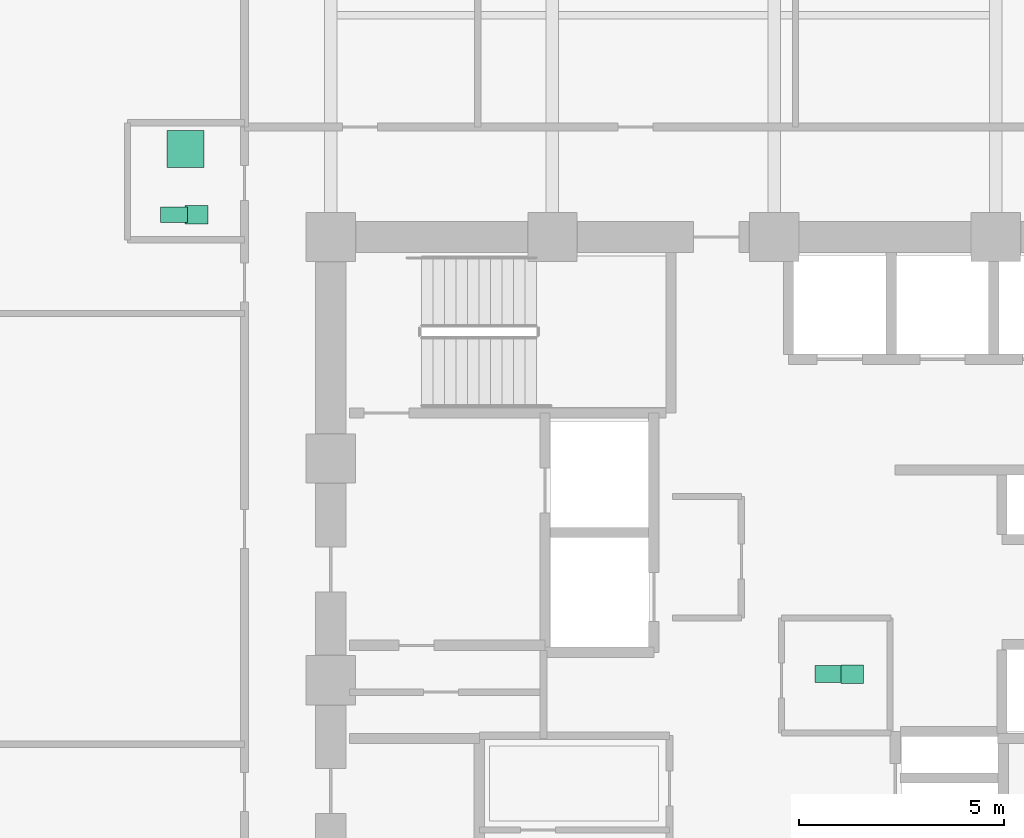
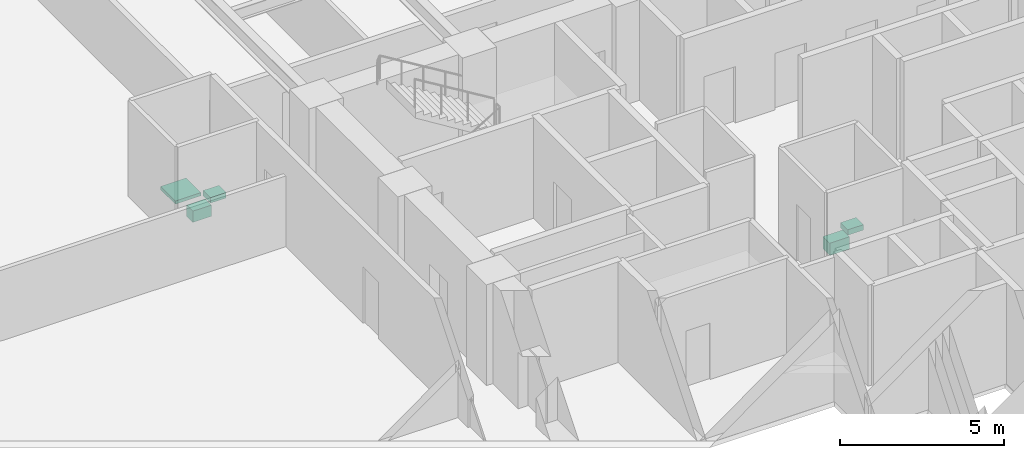
# One storey, part 25 of 25: 5 sanitary terminals.
"""IFC4 building model written with IfcOpenShell, lengths in metres."""

import ifcopenshell
import ifcopenshell.guid

model = None  # the IFC model being written
_history = None  # IfcOwnerHistory: only IFC2X3 demands one
_inside = {}  # id of a spatial element -> (the spatial element, [elements in it])
_under = {}  # id of a project, library or spatial element -> (it, [spatial elements below it])
_declared = {}  # id of a project -> (the project, [libraries it declares])
_typed = {}  # id of a type object -> (the type object, [elements of that type])
_made_of = {}  # id of a material, layer set ... -> (it, [elements and type objects made of it])


def new_model(schema):
    """Start an empty IFC model of exactly this schema.

    Asked for "IFC4X3", IfcOpenShell would pick the latest addendum, in which some entities
    have other attributes; the version numbers below select the first issue.
    IFC2X3 requires an IfcOwnerHistory on every rooted entity: one is made here for all.
    """
    global model, _history
    if schema == "IFC4X3":
        model = ifcopenshell.file(schema_version=(4, 3, 0, 0))
    else:
        model = ifcopenshell.file(schema=schema)
    _inside.clear()
    _under.clear()
    _declared.clear()
    _typed.clear()
    _made_of.clear()
    _history = None
    if model.schema == "IFC2X3":
        org = make("IfcOrganization", Name="unknown")
        user = make(
            "IfcPersonAndOrganization",
            ThePerson=make("IfcPerson", FamilyName="unknown"),
            TheOrganization=org,
        )
        app = make(
            "IfcApplication",
            ApplicationDeveloper=org,
            Version="unknown",
            ApplicationFullName="unknown",
            ApplicationIdentifier="unknown",
        )
        _history = make(
            "IfcOwnerHistory",
            OwningUser=user,
            OwningApplication=app,
            ChangeAction="ADDED",
            CreationDate=0,
        )
    return model


def make(cls, **values):
    """One entity of the class cls with the attributes given. An attribute that is None is left unset."""
    return model.create_entity(
        cls, **{name: value for name, value in values.items() if value is not None}
    )


def rooted(cls, **values):
    """An entity with a GlobalId (a new one), such as an element, a storey or a relation."""
    return make(cls, GlobalId=ifcopenshell.guid.new(), OwnerHistory=_history, **values)


def si_unit(unit_type, name, prefix=None):
    """IfcSIUnit, for example si_unit("LENGTHUNIT", "METRE", prefix="MILLI")."""
    return make("IfcSIUnit", UnitType=unit_type, Prefix=prefix, Name=name)


def assignment(units):
    """IfcUnitAssignment: the units of a project."""
    return None if units is None else make("IfcUnitAssignment", Units=units)


def point(xyz):
    """IfcCartesianPoint."""
    return None if xyz is None else make("IfcCartesianPoint", Coordinates=xyz)


def direction(xyz):
    """IfcDirection."""
    return None if xyz is None else make("IfcDirection", DirectionRatios=xyz)


def frame(location, z_axis=None, x_axis=None):
    """IfcAxis2Placement3D, a coordinate frame: its origin and axes. An axis left out is left unset."""
    return make(
        "IfcAxis2Placement3D",
        Location=point(location),
        Axis=direction(z_axis),
        RefDirection=direction(x_axis),
    )


def frame_2d(location, x_axis=None):
    """IfcAxis2Placement2D, a coordinate frame in the plane: its origin and x axis."""
    return make(
        "IfcAxis2Placement2D", Location=point(location), RefDirection=direction(x_axis)
    )


def origin():
    """The frame at (0, 0, 0) with its axes left unset."""
    return frame((0.0, 0.0, 0.0))


def origin_2d():
    """The frame at (0, 0) in the plane with its x axis left unset."""
    return frame_2d((0.0, 0.0))


def place(relative_to, where):
    """IfcLocalPlacement: puts the frame where relative to a parent placement (None: the world)."""
    return make(
        "IfcLocalPlacement", PlacementRelTo=relative_to, RelativePlacement=where
    )


def context(
    kind, dimensions, precision=None, world=None, true_north=None, identifier=None
):
    """IfcGeometricRepresentationContext, for example the 3D "Model" context."""
    return make(
        "IfcGeometricRepresentationContext",
        ContextIdentifier=identifier,
        ContextType=kind,
        CoordinateSpaceDimension=dimensions,
        Precision=precision,
        WorldCoordinateSystem=world,
        TrueNorth=true_north,
    )


def subcontext(parent, identifier, kind, view, scale=None):
    """IfcGeometricRepresentationSubContext, for example "Body" below "Model"."""
    return make(
        "IfcGeometricRepresentationSubContext",
        ContextIdentifier=identifier,
        ContextType=kind,
        ParentContext=parent,
        TargetScale=scale,
        TargetView=view,
    )


def project(units=None, contexts=None):
    """IfcProject with its units and contexts."""
    return rooted(
        "IfcProject",
        Name="project",
        RepresentationContexts=contexts,
        UnitsInContext=assignment(units),
    )


def spatial(cls, under=None, at=None, **own):
    """A site, building, storey or space (cls), placed at a placement, below another one or the project."""
    s = rooted(cls, ObjectPlacement=at, **own)
    if under is not None:
        _under.setdefault(under.id(), (under, []))[1].append(s)
    return s


def profile(cls, at=None, kind="AREA", **sizes):
    """A parametric profile (cls). Its sizes go by their IFC names, for example OverallWidth=200.0."""
    return make(cls, ProfileType=kind, Position=at, **sizes)


def rectangle(**sizes):
    """IfcRectangleProfileDef."""
    return profile("IfcRectangleProfileDef", **sizes)


def extrude(swept, where, along, depth):
    """IfcExtrudedAreaSolid: the profile swept, set in the frame where, extruded along a direction by depth."""
    return make(
        "IfcExtrudedAreaSolid",
        SweptArea=swept,
        Position=where,
        ExtrudedDirection=direction(along),
        Depth=depth,
    )


def shape(context_of_items, identifier, shape_type, items):
    """IfcShapeRepresentation: the items that make up one representation, for example the "Body"."""
    return make(
        "IfcShapeRepresentation",
        ContextOfItems=context_of_items,
        RepresentationIdentifier=identifier,
        RepresentationType=shape_type,
        Items=items,
    )


def material(Name=None, Category=None):
    """IfcMaterial."""
    return make("IfcMaterial", Name=Name, Category=Category)


def made_of(thing, what):
    """Note that an element or type object is made of a material, layer set ...; save() writes the relation."""
    if what is not None:
        _made_of.setdefault(what.id(), (what, []))[1].append(thing)
    return thing


def type_object(cls, material=None, **own):
    """A type object (cls), such as IfcWallType, which elements share."""
    return made_of(rooted(cls, **own), material)


def element(
    cls,
    number,
    at=None,
    inside=None,
    cuts=None,
    type_object=None,
    material=None,
    context=None,
    identifier="Body",
    shape_type=None,
    held_by="IfcProductDefinitionShape",
    body=None,
    shapes=None,
    **own,
):
    """One element of the class cls, such as IfcWall. Its Tag is "e" and its number.

    at: its placement. inside: the storey or other place that contains it. cuts: it is an
    opening in that element (IfcRelVoidsElement). A single representation is given by context,
    identifier, shape_type and body (its items); several are given by shapes. held_by: the class
    of the entity that holds the representations. save() writes the other relations.
    """
    e = rooted(cls, Tag="e%d" % number, ObjectPlacement=at, **own)
    if body is not None:
        shapes = [shape(context, identifier, shape_type, body)]
    if shapes is not None:
        e.Representation = make(held_by, Representations=shapes)
    if inside is not None:
        _inside.setdefault(inside.id(), (inside, []))[1].append(e)
    if cuts is not None:
        rooted(
            "IfcRelVoidsElement", RelatingBuildingElement=cuts, RelatedOpeningElement=e
        )
    if type_object is not None:
        _typed.setdefault(type_object.id(), (type_object, []))[1].append(e)
    return made_of(e, material)


def aggregate(whole, parts):
    """IfcRelAggregates: a whole, such as a stair, and the parts it consists of."""
    return rooted("IfcRelAggregates", RelatingObject=whole, RelatedObjects=parts)


def save(model, path):
    """Write the relations noted so far, then the file.

    IfcRelAggregates (storeys below a building ...), IfcRelContainedInSpatialStructure (elements
    in a storey), IfcRelDefinesByType, IfcRelAssociatesMaterial and IfcRelDeclares: one each for
    every whole, place, type object, material and project.
    """
    for whole, parts in _under.values():
        aggregate(whole, parts)
    for where, things in _inside.values():
        rooted(
            "IfcRelContainedInSpatialStructure",
            RelatedElements=things,
            RelatingStructure=where,
        )
    for kind, things in _typed.values():
        rooted("IfcRelDefinesByType", RelatedObjects=things, RelatingType=kind)
    for what, things in _made_of.values():
        rooted("IfcRelAssociatesMaterial", RelatedObjects=things, RelatingMaterial=what)
    for by, libraries in _declared.values():
        rooted("IfcRelDeclares", RelatingContext=by, RelatedDefinitions=libraries)
    model.write(path)


model = new_model("IFC4")

# Units and contexts
model_context = context("Model", 3, precision=1e-05, world=origin(), true_north=direction((0.0, 1.0)))
body_context = subcontext(model_context, "Body", "Model", "MODEL_VIEW")
ifc_project = project(units=[si_unit("LENGTHUNIT", "METRE"), si_unit("AREAUNIT", "SQUARE_METRE"), si_unit("VOLUMEUNIT", "CUBIC_METRE"), si_unit("PLANEANGLEUNIT", "RADIAN"), si_unit("MASSUNIT", "GRAM", prefix="KILO")], contexts=[model_context])

# Site, building, storey
site_placement = place(None, origin())
site = spatial("IfcSite", under=ifc_project, at=site_placement, CompositionType="ELEMENT")
building_placement = place(site_placement, origin())
building = spatial("IfcBuilding", under=site, at=building_placement, Name="Surkhivell Harbour Commons", CompositionType="ELEMENT")
storey_placement = place(building_placement, frame((0.0, 0.0, 45.0)))
storey = spatial("IfcBuildingStorey", under=building, at=storey_placement, Name="L11", CompositionType="ELEMENT", Elevation=45.0)

# Sanitary terminals
ifc_material_1 = material(Name="Vitreous china washbasin", Category="other")
sanitary_terminal_type_1 = type_object("IfcSanitaryTerminalType", Name="SAN-BSN", PredefinedType="WASHHANDBASIN", material=ifc_material_1)
for number, where, z_axis, x_axis, name in (
    (1, (1.89990234375, 0.14990234375, 0.72021484375), (0.0, 0.0, 1.0), (1.0, 0.0, 0.0), "L11 Core Accessible WC Washbasin"),
    (2, (-14.070068359375, 11.340087890625, 0.72021484375), (0.0, 0.0, 1.0), (1.0, 0.0, 0.0), "L11 West Communal Bathroom WC Washbasin"),
):
    element("IfcSanitaryTerminal", number, at=place(storey_placement, frame(where, z_axis=z_axis, x_axis=x_axis)), inside=storey, type_object=sanitary_terminal_type_1, Name=name, PredefinedType="WASHHANDBASIN", context=body_context, shape_type="SweptSolid", body=[
        extrude(rectangle(XDim=0.550048828125, YDim=0.449951171875, at=origin_2d()), origin(), (0.0, 0.0, 1.0), 0.199951171875),
    ])
ifc_material_2 = material(Name="Glazed porcelain shower tray", Category="other")
sanitary_terminal_type_2 = type_object("IfcSanitaryTerminalType", Name="SAN-SHW", PredefinedType="SHOWER", material=ifc_material_2)
sanitary_terminal_1_placement = place(storey_placement, frame((-14.340087890625, 12.93994140625, 0.0), z_axis=(0.0, 0.0, 1.0), x_axis=(1.0, 0.0, 0.0)))
element("IfcSanitaryTerminal", 3, at=sanitary_terminal_1_placement, inside=storey, type_object=sanitary_terminal_type_2, Name="L11 West Communal Shower Tray", PredefinedType="SHOWER", context=body_context, shape_type="SweptSolid", body=[
    extrude(rectangle(XDim=0.89990234375, YDim=0.89990234375, at=origin_2d()), origin(), (0.0, 0.0, 1.0), 0.1201171875),
])
ifc_material_3 = material(Name="Vitreous china sanitaryware", Category="other")
sanitary_terminal_type_3 = type_object("IfcSanitaryTerminalType", Name="SAN-WC-ACC", PredefinedType="TOILETPAN", material=ifc_material_3)
sanitary_terminal_2_placement = place(storey_placement, frame((1.35009765625, 0.14990234375, 0.169921875), z_axis=(0.0, 0.0, 1.0), x_axis=(1.0, 0.0, 0.0)))
element("IfcSanitaryTerminal", 4, at=sanitary_terminal_2_placement, inside=storey, type_object=sanitary_terminal_type_3, Name="L11 Core Accessible WC", PredefinedType="TOILETPAN", context=body_context, shape_type="SweptSolid", body=[
    extrude(rectangle(XDim=0.699951171875, YDim=0.419921875, at=origin_2d()), origin(), (0.0, 0.0, 1.0), 0.4599609375),
])
sanitary_terminal_type_4 = type_object("IfcSanitaryTerminalType", Name="SAN-WC-STD", PredefinedType="TOILETPAN", material=ifc_material_3)
sanitary_terminal_3_placement = place(storey_placement, frame((-14.6201171875, 11.340087890625, 0.18994140625), z_axis=(0.0, 0.0, 1.0), x_axis=(1.0, 0.0, 0.0)))
element("IfcSanitaryTerminal", 5, at=sanitary_terminal_3_placement, inside=storey, type_object=sanitary_terminal_type_4, Name="L11 West Communal Bathroom WC", PredefinedType="TOILETPAN", context=body_context, shape_type="SweptSolid", body=[
    extrude(rectangle(XDim=0.64990234375, YDim=0.3798828125, at=origin_2d()), origin(), (0.0, 0.0, 1.0), 0.419921875),
])

save(model, "model.ifc")
